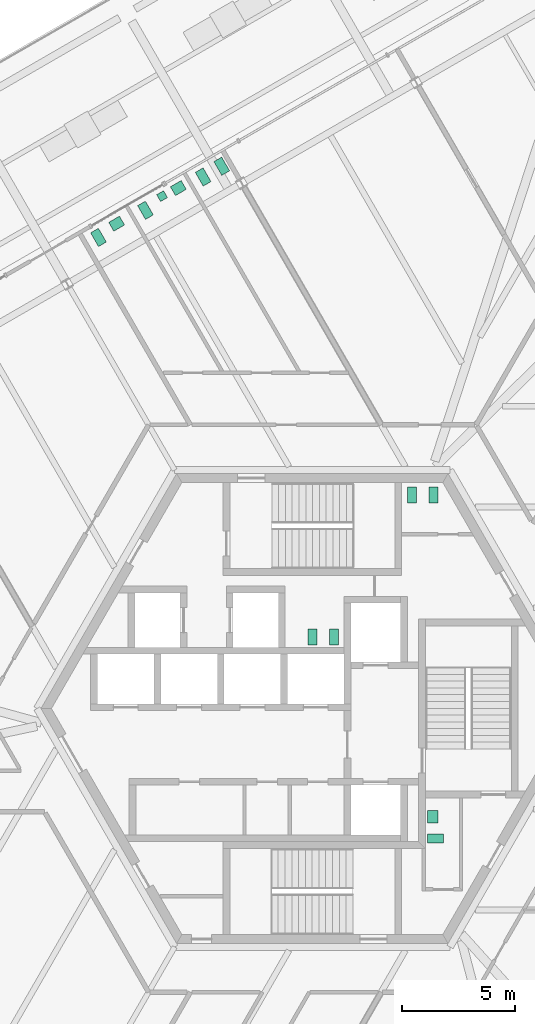
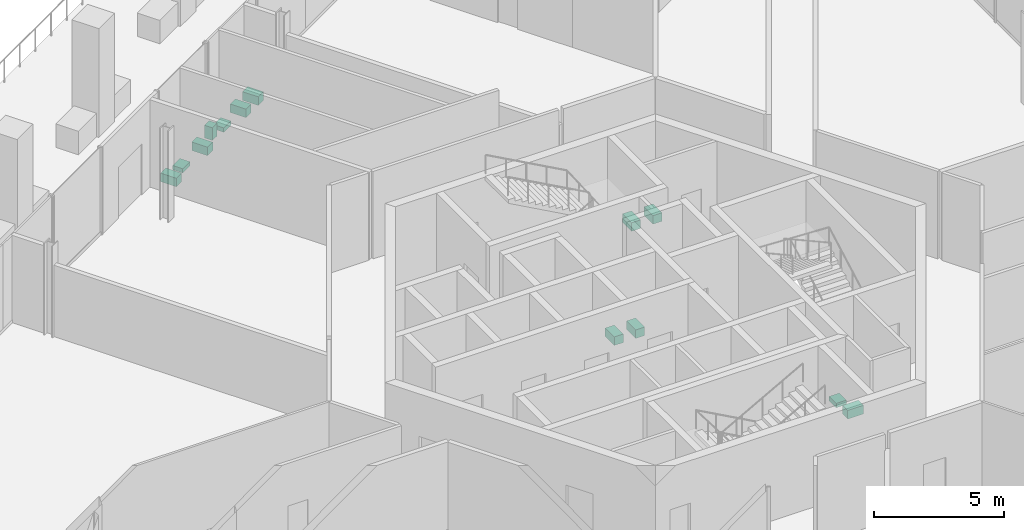
# One storey, part 36 of 38: 13 sanitary terminals.
"""IFC4 building model written with IfcOpenShell, lengths in metres."""

from ifc_helpers import new_model, si_unit, direction, frame, origin, origin_2d, place, context, subcontext, project, spatial, rectangle, extrude, source, transform, mapped, material, element, save


model = new_model("IFC4")

# Units and contexts
model_context = context("Model", 3, precision=1e-05, world=origin(), true_north=direction((0.0, 1.0)))
body_context = subcontext(model_context, "Body", "Model", "MODEL_VIEW")
ifc_project = project(units=[si_unit("LENGTHUNIT", "METRE"), si_unit("AREAUNIT", "SQUARE_METRE"), si_unit("VOLUMEUNIT", "CUBIC_METRE"), si_unit("PLANEANGLEUNIT", "RADIAN"), si_unit("MASSUNIT", "GRAM", prefix="KILO")], contexts=[model_context])

# Site, building, storey
site_placement = place(None, origin())
site = spatial("IfcSite", under=ifc_project, at=site_placement, CompositionType="ELEMENT")
building_placement = place(site_placement, origin())
building = spatial("IfcBuilding", under=site, at=building_placement, Name="Triune Harvest Tower", CompositionType="ELEMENT")
storey_placement = place(building_placement, frame((0.0, 0.0, 16.0)))
storey = spatial("IfcBuildingStorey", under=building, at=storey_placement, Name="L03", CompositionType="ELEMENT", Elevation=16.0)

# Sanitary terminals
ifc_material = material(Name="Vitreous china")
shared_shape_1 = source(origin(), body_context, "Body", "SweptSolid", [
    extrude(rectangle(XDim=0.39990234375, YDim=0.699951171875, at=origin_2d()), origin(), (0.0, 0.0, 1.0), 0.39990234375),
])
for number, where, z_axis, x_axis, name in (
    (1, (4.39990234375, 9.449951171875, 0.0), (0.0, 0.0, 1.0), (1.0, 0.0, 0.0), "Toilet pan L03.c01"),
    (2, (5.35009765625, 9.449951171875, 0.0), (0.0, 0.0, 1.0), (1.0, 0.0, 0.0), "Toilet pan L03.c02"),
    (3, (0.949951171875, 3.159912109375, 0.0), (0.0, 0.0, 1.0), (-1.0, 0.0, 0.0), "Toilet pan L03.c03"),
    (4, (0.0, 3.159912109375, 0.0), (0.0, 0.0, 1.0), (-1.0, 0.0, 0.0), "Toilet pan L03.c04"),
    (5, (5.449951171875, -5.739990234375, 0.0), (0.0, 0.0, 1.0), (0.0, 1.0, 0.0), "Toilet pan L03.c05"),
    (6, (-4.8291015625, 23.506103515625, 0.0), (0.0, 0.0, 1.0), (0.866016677006, 0.500015114919, 0.0), "Toilet pan 01"),
    (7, (-4.00634765625, 23.981201171875, 0.0), (0.0, 0.0, 1.0), (0.866016677006, 0.500015114919, 0.0), "Toilet pan 02"),
    (8, (-7.38037109375, 22.033203125, 0.0), (0.0, 0.0, 1.0), (0.866034130299, 0.499984884929, 0.0), "Toilet pan 03"),
    (9, (-9.458740234375, 20.8330078125, 0.0), (0.0, 0.0, 1.0), (0.866016677006, 0.500015114919, 0.0), "Toilet pan 06"),
):
    element("IfcSanitaryTerminal", number, at=place(storey_placement, frame(where, z_axis=z_axis, x_axis=x_axis)), inside=storey, material=ifc_material, Name=name, PredefinedType="TOILETPAN", context=body_context, shape_type="MappedRepresentation", body=[
        mapped(shared_shape_1, transform((0.0, 0.0, 0.0), scale=1.0)),
    ])
shared_shape_2 = source(origin(), body_context, "Body", "SweptSolid", [
    extrude(rectangle(XDim=0.35009765625, YDim=0.35009765625, at=origin_2d()), origin(), (0.0, 0.0, 1.0), 0.60009765625),
])
sanitary_terminal_placement = place(storey_placement, frame((-6.64501953125, 22.65966796875, 0.0), z_axis=(0.0, 0.0, 1.0), x_axis=(0.866034130299, 0.499984884929, 0.0)))
element("IfcSanitaryTerminal", 10, at=sanitary_terminal_placement, inside=storey, material=ifc_material, Name="Urinal 04", PredefinedType="URINAL", context=body_context, shape_type="MappedRepresentation", body=[
    mapped(shared_shape_2, transform((0.0, 0.0, 0.0), scale=1.0)),
])
shared_shape_3 = source(origin(), body_context, "Body", "SweptSolid", [
    extrude(rectangle(XDim=0.550048828125, YDim=0.449951171875, at=origin_2d()), origin(), (0.0, 0.0, 1.0), 0.199951171875),
])
for number, where, z_axis, x_axis, name in (
    (11, (5.324951171875, -4.7900390625, 0.0), (0.0, 0.0, 1.0), (0.0, 1.0, 0.0), "Wash basin L03.c06"),
    (12, (-5.92724609375, 23.016357421875, 0.0), (0.0, 0.0, 1.0), (0.866034130299, 0.499984884929, 0.0), "Wash basin 05"),
    (13, (-8.6552734375, 21.44140625, 0.0), (0.0, 0.0, 1.0), (0.866016677006, 0.500015114919, 0.0), "Wash basin 07"),
):
    element("IfcSanitaryTerminal", number, at=place(storey_placement, frame(where, z_axis=z_axis, x_axis=x_axis)), inside=storey, material=ifc_material, Name=name, PredefinedType="WASHHANDBASIN", context=body_context, shape_type="MappedRepresentation", body=[
        mapped(shared_shape_3, transform((0.0, 0.0, 0.0), scale=1.0)),
    ])

save(model, "model.ifc")
